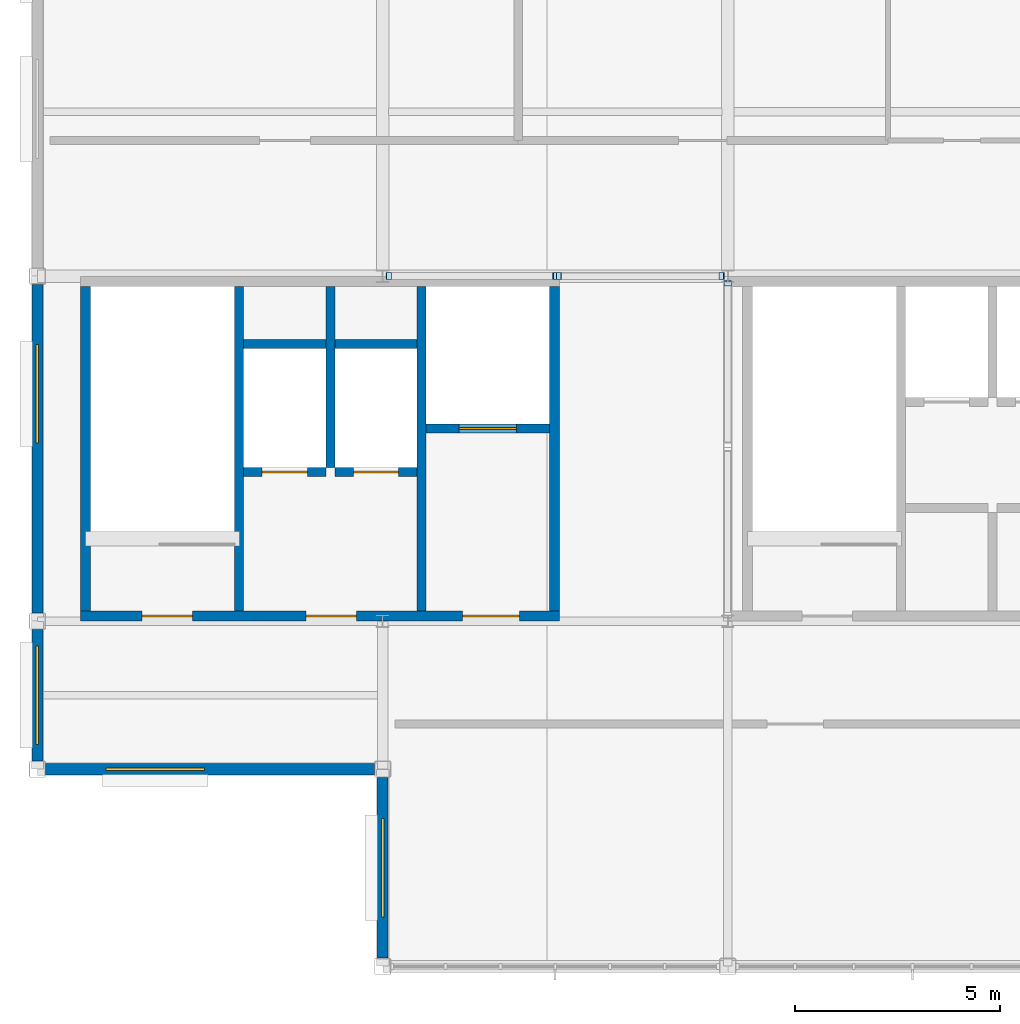
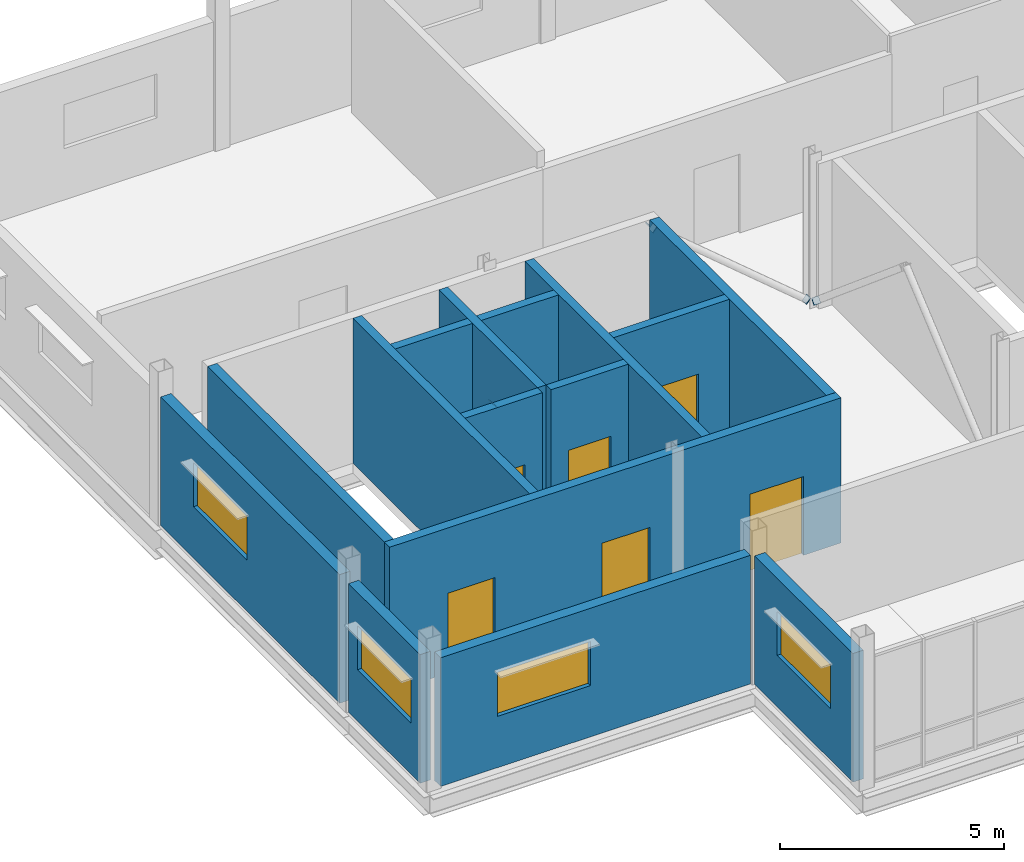
# One storey, part 12 of 15: 15 walls, 6 doors, 5 plates, 4 windows, 10 openings.
"""IFC4 building model written with IfcOpenShell, lengths in metres."""

from ifc_helpers import new_model, si_unit, direction, frame, frame_2d, origin, origin_2d, place, context, subcontext, project, spatial, rectangle, extrude, material, layer, layer_set, type_object, element, fill, save


model = new_model("IFC4")

# Units and contexts
model_context = context("Model", 3, precision=1e-05, world=origin(), true_north=direction((0.0, 1.0)))
body_context = subcontext(model_context, "Body", "Model", "MODEL_VIEW")
ifc_project = project(units=[si_unit("LENGTHUNIT", "METRE"), si_unit("AREAUNIT", "SQUARE_METRE"), si_unit("VOLUMEUNIT", "CUBIC_METRE"), si_unit("PLANEANGLEUNIT", "RADIAN"), si_unit("MASSUNIT", "GRAM", prefix="KILO")], contexts=[model_context])

# Site, building, storey
site_placement = place(None, origin())
site = spatial("IfcSite", under=ifc_project, at=site_placement, CompositionType="ELEMENT")
building_placement = place(site_placement, origin())
building = spatial("IfcBuilding", under=site, at=building_placement, Name="Yukiwa Park Conservatory and Herbarium", CompositionType="ELEMENT")
storey_placement = place(building_placement, frame((0.0, 0.0, 61.199951171875)))
storey = spatial("IfcBuildingStorey", under=building, at=storey_placement, Name="L16", CompositionType="ELEMENT", Elevation=61.199951171875)

# Plates
ifc_material_1 = material(Name="Steel Q355D", Category="steel")
ifc_layer_1 = layer(ifc_material_1, 0.02392578125)
ifc_layer_set_1 = layer_set([ifc_layer_1], Name="Steel Q355D")
plate_type = type_object("IfcPlateType", Name="PL-CAP-24-INT", PredefinedType="USERDEFINED", material=ifc_layer_set_1)
for number, where, z_axis, x_axis, name in (
    (1, (141.755615234375, 103.199951171875, 0.180908203125), (-0.760686645348, 0.0, -0.649119270697), (0.0, -1.0, 0.0), "Hollow section end cap plate CAP-BR-L16-077A"),
    (2, (145.7939453125, 103.199951171875, 3.579833984375), (0.760686645348, 0.0, 0.649119270697), (0.0, 1.0, 0.0), "Hollow section end cap plate CAP-BR-L16-077B"),
    (3, (149.844482421875, 103.199951171875, 0.180908203125), (0.760686645348, 0.0, -0.649119270697), (0.0, 1.0, 0.0), "Hollow section end cap plate CAP-BR-L16-078A"),
):
    element("IfcPlate", number, at=place(storey_placement, frame(where, z_axis=z_axis, x_axis=x_axis)), inside=storey, type_object=plate_type, Name=name, ObjectType="END CAP PLATE", PredefinedType="USERDEFINED", context=body_context, shape_type="SweptSolid", body=[
        extrude(rectangle(XDim=0.17626953125, YDim=0.17626953125, at=origin_2d()), origin(), (0.0, 0.0, 1.0), 0.024169921875),
    ])
plate_1_placement = place(storey_placement, frame((145.90185546875, 103.199951171875, 3.49951171875), z_axis=(-0.76570486479, 0.0, 0.643192086423), x_axis=(0.0, -1.0, 0.0)))
element("IfcPlate", 4, at=plate_1_placement, inside=storey, type_object=plate_type, Name="Hollow section end cap plate CAP-BR-L16-078B", ObjectType="END CAP PLATE", PredefinedType="USERDEFINED", context=body_context, shape_type="SweptSolid", body=[
    extrude(rectangle(XDim=0.17626953125, YDim=0.17626953125, at=origin_2d()), origin(), (0.0, 0.0, 1.0), 0.02392578125),
])
plate_2_placement = place(storey_placement, frame((150.0, 103.020751953125, 0.20068359375), z_axis=(0.0, 0.764911198117, -0.644135745783), x_axis=(-1.0, 0.0, 0.0)))
element("IfcPlate", 5, at=plate_2_placement, inside=storey, type_object=plate_type, Name="Hollow section end cap plate CAP-BR-L16-080A", ObjectType="END CAP PLATE", PredefinedType="USERDEFINED", context=body_context, shape_type="SweptSolid", body=[
    extrude(rectangle(XDim=0.17626953125, YDim=0.17626953125, at=origin_2d()), origin(), (0.0, 0.0, 1.0), 0.024169921875),
])

# Walls
ifc_material_2 = material(Name="Concrete C40", Category="concrete")
ifc_layer_2 = layer(ifc_material_2, 0.219970703125)
ifc_layer_set_2 = layer_set([ifc_layer_2], Name="Concrete C40")
wall_type_1 = type_object("IfcWallType", Name="WL-CORE-RC220", PredefinedType="SHEAR", material=ifc_layer_set_2)
wall_1_placement = place(storey_placement, frame((138.110107421875, 95.050048828125, 0.0), z_axis=(0.0, 0.0, 1.0), x_axis=(0.0, 1.0, 0.0)))
element("IfcWall", 6, at=wall_1_placement, inside=storey, type_object=wall_type_1, Name="L16 core shear wall 864", PredefinedType="SHEAR", context=body_context, shape_type="SweptSolid", body=[
    extrude(rectangle(XDim=7.89990234375, YDim=0.219970703125, at=frame_2d((3.949951171875, 0.0))), origin(), (0.0, 0.0, 1.0), 3.9599609375),
])
wall_2_placement = place(storey_placement, frame((140.330078125, 98.5400390625, 0.0), z_axis=(0.0, 0.0, 1.0), x_axis=(0.0, 1.0, 0.0)))
element("IfcWall", 7, at=wall_2_placement, inside=storey, type_object=wall_type_1, Name="L16 core shear wall 865", PredefinedType="SHEAR", context=body_context, shape_type="SweptSolid", body=[
    extrude(rectangle(XDim=4.409912109375, YDim=0.219970703125, at=frame_2d((2.205078125, 0.0))), origin(), (0.0, 0.0, 1.0), 3.9599609375),
])
wall_3_placement = place(storey_placement, frame((142.550048828125, 95.050048828125, 0.0), z_axis=(0.0, 0.0, 1.0), x_axis=(0.0, 1.0, 0.0)))
element("IfcWall", 8, at=wall_3_placement, inside=storey, type_object=wall_type_1, Name="L16 core shear wall 866", PredefinedType="SHEAR", context=body_context, shape_type="SweptSolid", body=[
    extrude(rectangle(XDim=7.89990234375, YDim=0.219970703125, at=frame_2d((3.949951171875, 0.0))), origin(), (0.0, 0.0, 1.0), 3.9599609375),
])

# Wall, opening, door
wall_4_placement = place(storey_placement, frame((138.219970703125, 98.429931640625, 0.0), z_axis=(0.0, 0.0, 1.0), x_axis=(1.0, 0.0, 0.0)))
wall_4 = element("IfcWall", 9, at=wall_4_placement, inside=storey, type_object=wall_type_1, Name="L16 core shear wall 868", PredefinedType="SHEAR", context=body_context, shape_type="SweptSolid", body=[
    extrude(rectangle(XDim=2.0, YDim=0.219970703125, at=frame_2d((1.0, 0.0))), origin(), (0.0, 0.0, 1.0), 3.9599609375),
])
opening_1_placement = place(wall_4_placement, frame((0.449951171875, 0.0, 0.0)))
opening_1 = element("IfcOpeningElement", 10, at=opening_1_placement, cuts=wall_4, Name="Opening LD-01", PredefinedType="OPENING", context=body_context, shape_type="SweptSolid", body=[
    extrude(rectangle(XDim=1.10009765625, YDim=2.14990234375, at=frame_2d((0.550048828125, 1.074951171875))), frame((0.0, 0.1201171875, 0.0), z_axis=(0.0, -1.0, 0.0), x_axis=(1.0, 0.0, 0.0)), (0.0, 0.0, 1.0), 0.239990234375),
])
ifc_material_3 = material(Name="Steel Q235B", Category="steel")
door_type_1 = type_object("IfcDoorType", Name="DR-LIFT-LD1100", OperationType="SLIDING_TO_LEFT", PredefinedType="DOOR", material=ifc_material_3)
door_1_placement = place(opening_1_placement, origin())
door_1 = element("IfcDoor", 11, at=door_1_placement, inside=storey, type_object=door_type_1, Name="L16 Firefighting Lift FL1 sliding landing door", OperationType="SLIDING_TO_LEFT", OverallHeight=2.14990234375, OverallWidth=1.10009765625, PredefinedType="DOOR", context=body_context, shape_type="SweptSolid", body=[
    extrude(rectangle(XDim=1.10009765625, YDim=2.14990234375, at=frame_2d((0.550048828125, 1.074951171875))), frame((0.0, 0.02490234375, 0.0), z_axis=(0.0, -1.0, 0.0), x_axis=(1.0, 0.0, 0.0)), (0.0, 0.0, 1.0), 0.050048828125),
])
fill(opening_1, door_1)

wall_5_placement = place(storey_placement, frame((140.43994140625, 98.429931640625, 0.0), z_axis=(0.0, 0.0, 1.0), x_axis=(1.0, 0.0, 0.0)))
wall_5 = element("IfcWall", 12, at=wall_5_placement, inside=storey, type_object=wall_type_1, Name="L16 core shear wall 869", PredefinedType="SHEAR", context=body_context, shape_type="SweptSolid", body=[
    extrude(rectangle(XDim=2.0, YDim=0.219970703125, at=frame_2d((1.0, 0.0))), origin(), (0.0, 0.0, 1.0), 3.9599609375),
])
opening_2_placement = place(wall_5_placement, frame((0.449951171875, 0.0, 0.0)))
opening_2 = element("IfcOpeningElement", 13, at=opening_2_placement, cuts=wall_5, Name="Opening LD-01", PredefinedType="OPENING", context=body_context, shape_type="SweptSolid", body=[
    extrude(rectangle(XDim=1.10009765625, YDim=2.14990234375, at=frame_2d((0.550048828125, 1.074951171875))), frame((0.0, 0.1201171875, 0.0), z_axis=(0.0, -1.0, 0.0), x_axis=(1.0, 0.0, 0.0)), (0.0, 0.0, 1.0), 0.239990234375),
])
door_2_placement = place(opening_2_placement, origin())
door_2 = element("IfcDoor", 14, at=door_2_placement, inside=storey, type_object=door_type_1, Name="L16 Firefighting Lift FL2 sliding landing door", OperationType="SLIDING_TO_LEFT", OverallHeight=2.14990234375, OverallWidth=1.10009765625, PredefinedType="DOOR", context=body_context, shape_type="SweptSolid", body=[
    extrude(rectangle(XDim=1.10009765625, YDim=2.14990234375, at=frame_2d((0.550048828125, 1.074951171875))), frame((0.0, 0.02490234375, 0.0), z_axis=(0.0, -1.0, 0.0), x_axis=(1.0, 0.0, 0.0)), (0.0, 0.0, 1.0), 0.050048828125),
])
fill(opening_2, door_2)

# Walls
for number, where, z_axis, x_axis, name in (
    (15, (138.219970703125, 101.550048828125, 0.0), (0.0, 0.0, 1.0), (1.0, 0.0, 0.0), "L16 core shear wall 870"),
    (16, (140.43994140625, 101.550048828125, 0.0), (0.0, 0.0, 1.0), (1.0, 0.0, 0.0), "L16 core shear wall 871"),
):
    element("IfcWall", number, at=place(storey_placement, frame(where, z_axis=z_axis, x_axis=x_axis)), inside=storey, type_object=wall_type_1, Name=name, PredefinedType="SHEAR", context=body_context, shape_type="SweptSolid", body=[
        extrude(rectangle(XDim=2.0, YDim=0.219970703125, at=frame_2d((1.0, 0.0))), origin(), (0.0, 0.0, 1.0), 3.9599609375),
    ])

# Wall, opening, door
wall_6_placement = place(storey_placement, frame((142.659912109375, 99.489990234375, 0.0), z_axis=(0.0, 0.0, 1.0), x_axis=(1.0, 0.0, 0.0)))
wall_6 = element("IfcWall", 17, at=wall_6_placement, inside=storey, type_object=wall_type_1, Name="L16 core shear wall 872", PredefinedType="SHEAR", context=body_context, shape_type="SweptSolid", body=[
    extrude(rectangle(XDim=3.0, YDim=0.219970703125, at=frame_2d((1.5, 0.0))), origin(), (0.0, 0.0, 1.0), 3.9599609375),
])
opening_3_placement = place(wall_6_placement, frame((0.800048828125, 0.0, 0.0)))
opening_3 = element("IfcOpeningElement", 18, at=opening_3_placement, cuts=wall_6, Name="Opening LD-02", PredefinedType="OPENING", context=body_context, shape_type="SweptSolid", body=[
    extrude(rectangle(XDim=1.39990234375, YDim=2.199951171875, at=frame_2d((0.699951171875, 1.10009765625))), frame((0.0, 0.1201171875, 0.0), z_axis=(0.0, -1.0, 0.0), x_axis=(1.0, 0.0, 0.0)), (0.0, 0.0, 1.0), 0.239990234375),
])
ifc_material_4 = material(Name="Steel Q235B", Category="steel")
door_type_2 = type_object("IfcDoorType", Name="DR-LIFT-LD1400", OperationType="SLIDING_TO_LEFT", PredefinedType="DOOR", material=ifc_material_4)
door_3_placement = place(opening_3_placement, origin())
door_3 = element("IfcDoor", 19, at=door_3_placement, inside=storey, type_object=door_type_2, Name="L16 Goods Lift GL1 sliding landing door", OperationType="SLIDING_TO_LEFT", OverallHeight=2.199951171875, OverallWidth=1.39990234375, PredefinedType="DOOR", context=body_context, shape_type="SweptSolid", body=[
    extrude(rectangle(XDim=1.39990234375, YDim=2.199951171875, at=frame_2d((0.699951171875, 1.10009765625))), frame((0.0, 0.02490234375, 0.0), z_axis=(0.0, -1.0, 0.0), x_axis=(1.0, 0.0, 0.0)), (0.0, 0.0, 1.0), 0.050048828125),
])
fill(opening_3, door_3)

# Wall, openings, doors
ifc_material_5 = material(Name="Concrete C50", Category="concrete")
ifc_layer_3 = layer(ifc_material_5, 0.239990234375)
ifc_layer_set_3 = layer_set([ifc_layer_3], Name="Concrete C50")
wall_type_2 = type_object("IfcWallType", Name="WL-CORE-RC240", PredefinedType="SHEAR", material=ifc_layer_set_3)
wall_7_placement = place(storey_placement, frame((134.25, 94.929931640625, 0.0), z_axis=(0.0, 0.0, 1.0), x_axis=(1.0, 0.0, 0.0)))
wall_7 = element("IfcWall", 20, at=wall_7_placement, inside=storey, type_object=wall_type_2, Name="L16 core shear wall 861", PredefinedType="SHEAR", context=body_context, shape_type="SweptSolid", body=[
    extrude(rectangle(XDim=11.64990234375, YDim=0.239990234375, at=frame_2d((5.824951171875, 0.0))), origin(), (0.0, 0.0, 1.0), 3.9599609375),
])
opening_4_placement = place(wall_7_placement, frame((1.5, 0.0, 0.0)))
opening_4 = element("IfcOpeningElement", 21, at=opening_4_placement, cuts=wall_7, Name="Opening SD-01", PredefinedType="OPENING", context=body_context, shape_type="SweptSolid", body=[
    extrude(rectangle(XDim=1.219970703125, YDim=2.179931640625, at=frame_2d((0.60986328125, 1.08984375))), frame((0.0, 0.1298828125, 0.0), z_axis=(0.0, -1.0, 0.0), x_axis=(1.0, 0.0, 0.0)), (0.0, 0.0, 1.0), 0.260009765625),
])
opening_5_placement = place(wall_7_placement, frame((5.47998046875, 0.0, 0.0)))
opening_5 = element("IfcOpeningElement", 22, at=opening_5_placement, cuts=wall_7, Name="Opening FD-02", PredefinedType="OPENING", context=body_context, shape_type="SweptSolid", body=[
    extrude(rectangle(XDim=1.239990234375, YDim=2.14990234375, at=frame_2d((0.6201171875, 1.074951171875))), frame((0.0, 0.1298828125, 0.0), z_axis=(0.0, -1.0, 0.0), x_axis=(1.0, 0.0, 0.0)), (0.0, 0.0, 1.0), 0.260009765625),
])
opening_6_placement = place(wall_7_placement, frame((9.300048828125, 0.0, 0.0)))
opening_6 = element("IfcOpeningElement", 23, at=opening_6_placement, cuts=wall_7, Name="Opening FD-06", PredefinedType="OPENING", context=body_context, shape_type="SweptSolid", body=[
    extrude(rectangle(XDim=1.3798828125, YDim=2.14990234375, at=frame_2d((0.68994140625, 1.074951171875))), frame((0.0, 0.1298828125, 0.0), z_axis=(0.0, -1.0, 0.0), x_axis=(1.0, 0.0, 0.0)), (0.0, 0.0, 1.0), 0.260009765625),
])
ifc_material_6 = material(Name="Steel Q235B", Category="steel")
door_type_3 = type_object("IfcDoorType", Name="DR-FIRE-FD60-1400", OperationType="DOUBLE_DOOR_SINGLE_SWING", PredefinedType="DOOR", material=ifc_material_6)
door_4_placement = place(opening_6_placement, frame((1.3798828125, 0.0, 0.0), z_axis=(0.0, 0.0, 1.0), x_axis=(-1.0, 0.0, 0.0)))
door_4 = element("IfcDoor", 24, at=door_4_placement, inside=storey, type_object=door_type_3, Name="L16 Goods Lift Lobby double fire door", OperationType="DOUBLE_DOOR_SINGLE_SWING", OverallHeight=2.14990234375, OverallWidth=1.3798828125, PredefinedType="DOOR", context=body_context, shape_type="SweptSolid", body=[
    extrude(rectangle(XDim=1.3798828125, YDim=2.14990234375, at=frame_2d((0.68994140625, 1.074951171875))), frame((0.0, 0.02490234375, 0.0), z_axis=(0.0, -1.0, 0.0), x_axis=(1.0, 0.0, 0.0)), (0.0, 0.0, 1.0), 0.050048828125),
])
fill(opening_6, door_4)
ifc_material_7 = material(Name="Steel Q235B", Category="steel")
door_type_4 = type_object("IfcDoorType", Name="DR-FIRE-FD90-1200", OperationType="SINGLE_SWING_RIGHT", PredefinedType="DOOR", material=ifc_material_7)
door_5_placement = place(opening_5_placement, frame((1.239990234375, 0.0, 0.0), z_axis=(0.0, 0.0, 1.0), x_axis=(-1.0, 0.0, 0.0)))
door_5 = element("IfcDoor", 25, at=door_5_placement, inside=storey, type_object=door_type_4, Name="L16 Firefighting Lift Lobby fire door", OperationType="SINGLE_SWING_RIGHT", OverallHeight=2.14990234375, OverallWidth=1.239990234375, PredefinedType="DOOR", context=body_context, shape_type="SweptSolid", body=[
    extrude(rectangle(XDim=1.239990234375, YDim=2.14990234375, at=frame_2d((0.6201171875, 1.074951171875))), frame((0.0, 0.02490234375, 0.0), z_axis=(0.0, -1.0, 0.0), x_axis=(1.0, 0.0, 0.0)), (0.0, 0.0, 1.0), 0.050048828125),
])
fill(opening_5, door_5)
ifc_material_8 = material(Name="Steel Q235B", Category="steel")
door_type_5 = type_object("IfcDoorType", Name="DR-STAIR-FD90-1200", OperationType="SINGLE_SWING_LEFT", PredefinedType="DOOR", material=ifc_material_8)
door_6_placement = place(opening_4_placement, origin())
door_6 = element("IfcDoor", 26, at=door_6_placement, inside=storey, type_object=door_type_5, Name="L16 Stairwell ST-T1 fire door", OperationType="SINGLE_SWING_LEFT", OverallHeight=2.179931640625, OverallWidth=1.219970703125, PredefinedType="DOOR", context=body_context, shape_type="SweptSolid", body=[
    extrude(rectangle(XDim=1.219970703125, YDim=2.179931640625, at=frame_2d((0.60986328125, 1.08984375))), frame((0.0, 0.02490234375, 0.0), z_axis=(0.0, -1.0, 0.0), x_axis=(1.0, 0.0, 0.0)), (0.0, 0.0, 1.0), 0.050048828125),
])
fill(opening_4, door_6)

# Walls
for number, where, z_axis, x_axis, name in (
    (27, (134.3701171875, 95.050048828125, 0.0), (0.0, 0.0, 1.0), (0.0, 1.0, 0.0), "L16 core shear wall 863"),
    (28, (145.780029296875, 95.050048828125, 0.0), (0.0, 0.0, 1.0), (0.0, 1.0, 0.0), "L16 core shear wall 867"),
):
    element("IfcWall", number, at=place(storey_placement, frame(where, z_axis=z_axis, x_axis=x_axis)), inside=storey, type_object=wall_type_2, Name=name, PredefinedType="SHEAR", context=body_context, shape_type="SweptSolid", body=[
        extrude(rectangle(XDim=7.89990234375, YDim=0.239990234375, at=frame_2d((3.949951171875, 0.0))), origin(), (0.0, 0.0, 1.0), 3.9599609375),
    ])

# Wall, opening, window
ifc_material_9 = material(Name="Anodised Aluminium", Category="aluminium")
ifc_layer_4 = layer(ifc_material_9, 0.27001953125)
ifc_layer_set_4 = layer_set([ifc_layer_4], Name="Anodised Aluminium")
wall_type_3 = type_object("IfcWallType", Name="WL-EXT-CROWN-270", PredefinedType="SOLIDWALL", material=ifc_layer_set_4)
wall_8_placement = place(storey_placement, frame((133.199951171875, 103.0, 0.0), z_axis=(0.0, 0.0, 1.0), x_axis=(0.0, -1.0, 0.0)))
wall_8 = element("IfcWall", 29, at=wall_8_placement, inside=storey, type_object=wall_type_3, Name="L16 exterior envelope wall 408", PredefinedType="SOLIDWALL", context=body_context, shape_type="SweptSolid", body=[
    extrude(rectangle(XDim=8.0, YDim=0.27001953125, at=frame_2d((4.0, 0.0))), origin(), (0.0, 0.0, 1.0), 3.510009765625),
])
opening_7_placement = place(wall_8_placement, frame((1.467041015625, 0.0, 1.39990234375)))
opening_7 = element("IfcOpeningElement", 30, at=opening_7_placement, cuts=wall_8, Name="Opening W-16", PredefinedType="OPENING", context=body_context, shape_type="SweptSolid", body=[
    extrude(rectangle(XDim=2.39990234375, YDim=1.199951171875, at=frame_2d((1.199951171875, 0.60009765625))), frame((0.0, 0.14501953125, 0.0), z_axis=(0.0, -1.0, 0.0), x_axis=(1.0, 0.0, 0.0)), (0.0, 0.0, 1.0), 0.2900390625),
])
ifc_material_10 = material(Name="Triple Low-E Insulated Glass", Category="glass")
window_type = type_object("IfcWindowType", Name="WN-CL-2400X1200", PartitioningType="SINGLE_PANEL", PredefinedType="LIGHTDOME", material=ifc_material_10)
window_1_placement = place(opening_7_placement, origin())
window_1 = element("IfcWindow", 31, at=window_1_placement, inside=storey, type_object=window_type, Name="L16 deep-reveal triple-glazed window 295", OverallHeight=1.199951171875, OverallWidth=2.39990234375, PartitioningType="SINGLE_PANEL", PredefinedType="LIGHTDOME", context=body_context, shape_type="SweptSolid", body=[
    extrude(rectangle(XDim=2.39990234375, YDim=1.199951171875, at=frame_2d((1.199951171875, 0.60009765625))), frame((0.0, 0.030029296875, 0.0), z_axis=(0.0, -1.0, 0.0), x_axis=(1.0, 0.0, 0.0)), (0.0, 0.0, 1.0), 0.06005859375),
])
fill(opening_7, window_1)

wall_9_placement = place(storey_placement, frame((133.199951171875, 94.60009765625, 0.0), z_axis=(0.0, 0.0, 1.0), x_axis=(0.0, -1.0, 0.0)))
wall_9 = element("IfcWall", 32, at=wall_9_placement, inside=storey, type_object=wall_type_3, Name="L16 exterior envelope wall 409", PredefinedType="SOLIDWALL", context=body_context, shape_type="SweptSolid", body=[
    extrude(rectangle(XDim=3.2001953125, YDim=0.27001953125, at=frame_2d((1.60009765625, 0.0))), origin(), (0.0, 0.0, 1.0), 3.510009765625),
])
opening_8_placement = place(wall_9_placement, frame((0.39990234375, 0.0, 1.39990234375)))
opening_8 = element("IfcOpeningElement", 33, at=opening_8_placement, cuts=wall_9, Name="Opening W-16", PredefinedType="OPENING", context=body_context, shape_type="SweptSolid", body=[
    extrude(rectangle(XDim=2.39990234375, YDim=1.199951171875, at=frame_2d((1.199951171875, 0.60009765625))), frame((0.0, 0.14501953125, 0.0), z_axis=(0.0, -1.0, 0.0), x_axis=(1.0, 0.0, 0.0)), (0.0, 0.0, 1.0), 0.2900390625),
])
window_2_placement = place(opening_8_placement, origin())
window_2 = element("IfcWindow", 34, at=window_2_placement, inside=storey, type_object=window_type, Name="L16 deep-reveal triple-glazed window 296", OverallHeight=1.199951171875, OverallWidth=2.39990234375, PartitioningType="SINGLE_PANEL", PredefinedType="LIGHTDOME", context=body_context, shape_type="SweptSolid", body=[
    extrude(rectangle(XDim=2.39990234375, YDim=1.199951171875, at=frame_2d((1.199951171875, 0.60009765625))), frame((0.0, 0.030029296875, 0.0), z_axis=(0.0, -1.0, 0.0), x_axis=(1.0, 0.0, 0.0)), (0.0, 0.0, 1.0), 0.06005859375),
])
fill(opening_8, window_2)

wall_10_placement = place(storey_placement, frame((133.39990234375, 91.199951171875, 0.0), z_axis=(0.0, 0.0, 1.0), x_axis=(1.0, 0.0, 0.0)))
wall_10 = element("IfcWall", 35, at=wall_10_placement, inside=storey, type_object=wall_type_3, Name="L16 exterior envelope wall 410", PredefinedType="SOLIDWALL", context=body_context, shape_type="SweptSolid", body=[
    extrude(rectangle(XDim=8.0, YDim=0.27001953125, at=frame_2d((4.0, 0.0))), origin(), (0.0, 0.0, 1.0), 3.510009765625),
])
opening_9_placement = place(wall_10_placement, frame((1.467041015625, 0.0, 1.39990234375)))
opening_9 = element("IfcOpeningElement", 36, at=opening_9_placement, cuts=wall_10, Name="Opening W-16", PredefinedType="OPENING", context=body_context, shape_type="SweptSolid", body=[
    extrude(rectangle(XDim=2.39990234375, YDim=1.199951171875, at=frame_2d((1.199951171875, 0.60009765625))), frame((0.0, 0.14501953125, 0.0), z_axis=(0.0, -1.0, 0.0), x_axis=(1.0, 0.0, 0.0)), (0.0, 0.0, 1.0), 0.2900390625),
])
window_3_placement = place(opening_9_placement, origin())
window_3 = element("IfcWindow", 37, at=window_3_placement, inside=storey, type_object=window_type, Name="L16 deep-reveal triple-glazed window 297", OverallHeight=1.199951171875, OverallWidth=2.39990234375, PartitioningType="SINGLE_PANEL", PredefinedType="LIGHTDOME", context=body_context, shape_type="SweptSolid", body=[
    extrude(rectangle(XDim=2.39990234375, YDim=1.199951171875, at=frame_2d((1.199951171875, 0.60009765625))), frame((0.0, 0.030029296875, 0.0), z_axis=(0.0, -1.0, 0.0), x_axis=(1.0, 0.0, 0.0)), (0.0, 0.0, 1.0), 0.06005859375),
])
fill(opening_9, window_3)

wall_11_placement = place(storey_placement, frame((141.60009765625, 91.0, 0.0), z_axis=(0.0, 0.0, 1.0), x_axis=(0.0, -1.0, 0.0)))
wall_11 = element("IfcWall", 38, at=wall_11_placement, inside=storey, type_object=wall_type_3, Name="L16 exterior envelope wall 411", PredefinedType="SOLIDWALL", context=body_context, shape_type="SweptSolid", body=[
    extrude(rectangle(XDim=4.39990234375, YDim=0.27001953125, at=frame_2d((2.199951171875, 0.0))), origin(), (0.0, 0.0, 1.0), 3.510009765625),
])
opening_10_placement = place(wall_11_placement, frame((1.0, 0.0, 1.39990234375)))
opening_10 = element("IfcOpeningElement", 39, at=opening_10_placement, cuts=wall_11, Name="Opening W-16", PredefinedType="OPENING", context=body_context, shape_type="SweptSolid", body=[
    extrude(rectangle(XDim=2.39990234375, YDim=1.199951171875, at=frame_2d((1.199951171875, 0.60009765625))), frame((0.0, 0.14501953125, 0.0), z_axis=(0.0, -1.0, 0.0), x_axis=(1.0, 0.0, 0.0)), (0.0, 0.0, 1.0), 0.2900390625),
])
window_4_placement = place(opening_10_placement, origin())
window_4 = element("IfcWindow", 40, at=window_4_placement, inside=storey, type_object=window_type, Name="L16 deep-reveal triple-glazed window 298", OverallHeight=1.199951171875, OverallWidth=2.39990234375, PartitioningType="SINGLE_PANEL", PredefinedType="LIGHTDOME", context=body_context, shape_type="SweptSolid", body=[
    extrude(rectangle(XDim=2.39990234375, YDim=1.199951171875, at=frame_2d((1.199951171875, 0.60009765625))), frame((0.0, 0.030029296875, 0.0), z_axis=(0.0, -1.0, 0.0), x_axis=(1.0, 0.0, 0.0)), (0.0, 0.0, 1.0), 0.06005859375),
])
fill(opening_10, window_4)

save(model, "model.ifc")
